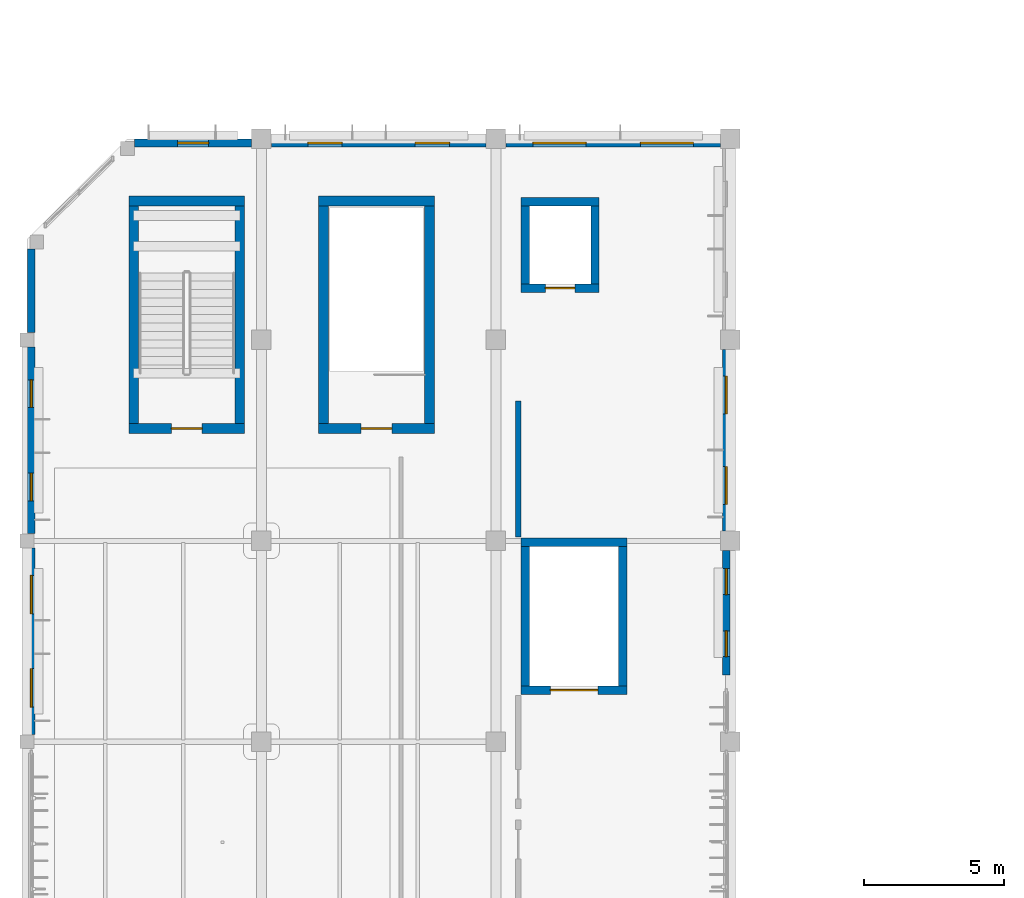
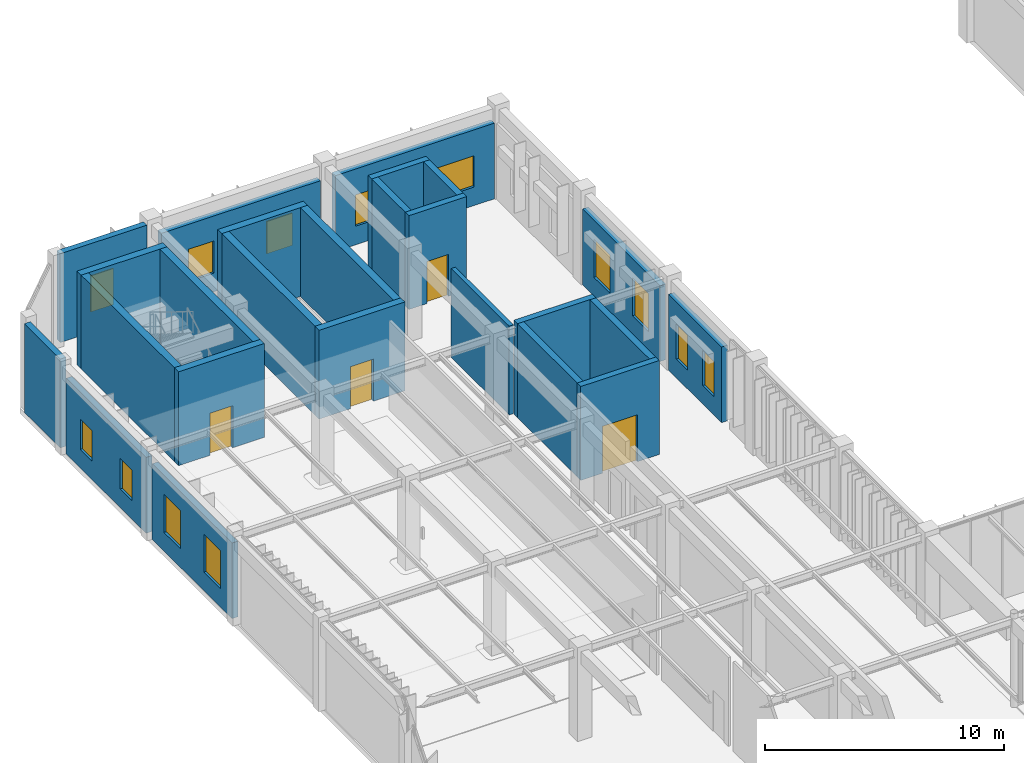
# One storey, part 36 of 122: 25 walls, 13 windows, 4 doors, 17 openings.
"""IFC4 building model written with IfcOpenShell, lengths in metres."""

from ifc_helpers import new_model, si_unit, direction, frame, frame_2d, origin, place, context, subcontext, project, spatial, rectangle, extrude, material, layer, layer_set, type_object, element, fill, save


model = new_model("IFC4")

# Units and contexts
model_context = context("Model", 3, precision=1e-05, world=origin(), true_north=direction((0.0, 1.0)))
body_context = subcontext(model_context, "Body", "Model", "MODEL_VIEW")
ifc_project = project(units=[si_unit("LENGTHUNIT", "METRE"), si_unit("AREAUNIT", "SQUARE_METRE"), si_unit("VOLUMEUNIT", "CUBIC_METRE"), si_unit("PLANEANGLEUNIT", "RADIAN"), si_unit("MASSUNIT", "GRAM", prefix="KILO")], contexts=[model_context])

# Site, building, storey
site_placement = place(None, origin())
site = spatial("IfcSite", under=ifc_project, at=site_placement, CompositionType="ELEMENT")
building_placement = place(site_placement, origin())
building = spatial("IfcBuilding", under=site, at=building_placement, Name="Tazoul Stagehouse", CompositionType="ELEMENT")
storey_placement = place(building_placement, origin())
storey = spatial("IfcBuildingStorey", under=building, at=storey_placement, Name="L00", CompositionType="ELEMENT", Elevation=0.0)

# Wall, opening, door
ifc_material_1 = material(Name="Concrete C40/50", Category="concrete")
ifc_layer_1 = layer(ifc_material_1, 0.35009765625, Name="Concrete C40/50")
ifc_layer_set_1 = layer_set([ifc_layer_1], Name="Concrete C40/50")
wall_type_1 = type_object("IfcWallType", Name="Core Shear Wall 350", PredefinedType="SOLIDWALL", material=ifc_layer_set_1)
wall_1_placement = place(storey_placement, frame((10.199951171875, 77.425048828125, 0.0), z_axis=(0.0, 0.0, 1.0), x_axis=(-1.0, 0.0, 0.0)))
wall_1 = element("IfcWall", 1, at=wall_1_placement, inside=storey, type_object=wall_type_1, Name="L00 Core Wall CW-350 (SHF-ST-06-south)", PredefinedType="SOLIDWALL", context=body_context, shape_type="SweptSolid", body=[
    extrude(rectangle(XDim=4.14990234375, YDim=0.35009765625, at=frame_2d((2.074951171875, 0.0))), origin(), (0.0, 0.0, 1.0), 4.800048828125),
])
opening_1_placement = place(wall_1_placement, frame((1.52490234375, 0.0, 0.0)))
opening_1 = element("IfcOpeningElement", 2, at=opening_1_placement, cuts=wall_1, Name="Opening FD-01", PredefinedType="OPENING", context=body_context, shape_type="SweptSolid", body=[
    extrude(rectangle(XDim=1.10009765625, YDim=2.14990234375, at=frame_2d((0.550048828125, 1.074951171875))), frame((0.0, 0.195068359375, 0.0), z_axis=(0.0, -1.0, 0.0), x_axis=(1.0, 0.0, 0.0)), (0.0, 0.0, 1.0), 0.39013671875),
])
ifc_material_2 = material(Name="Powder-Coated Galvanised Acoustic Steel", Category="steel")
door_type_1 = type_object("IfcDoorType", Name="Core Escape Stair Fire Door 1100x2150", OperationType="NOTDEFINED", PredefinedType="DOOR", material=ifc_material_2)
door_1_placement = place(opening_1_placement, origin())
door_1 = element("IfcDoor", 3, at=door_1_placement, inside=storey, type_object=door_type_1, Name="L00 Escape Stair Fire Door FD-01 (ST-06)", OperationType="SINGLE_SWING_RIGHT", OverallHeight=2.14990234375, OverallWidth=1.10009765625, PredefinedType="DOOR", context=body_context, shape_type="SweptSolid", body=[
    extrude(rectangle(XDim=1.10009765625, YDim=2.14990234375, at=frame_2d((0.550048828125, 1.074951171875))), frame((0.0, 0.02490234375, 0.0), z_axis=(0.0, -1.0, 0.0), x_axis=(1.0, 0.0, 0.0)), (0.0, 0.0, 1.0), 0.050048828125),
])
fill(opening_1, door_1)

# Walls
wall_2_placement = place(storey_placement, frame((6.22509765625, 77.60009765625, 0.0), z_axis=(0.0, 0.0, 1.0), x_axis=(0.0, 1.0, 0.0)))
element("IfcWall", 4, at=wall_2_placement, inside=storey, type_object=wall_type_1, Name="L00 Core Wall CW-350 (SHF-ST-06-west)", PredefinedType="SOLIDWALL", context=body_context, shape_type="SweptSolid", body=[
    extrude(rectangle(XDim=7.7998046875, YDim=0.35009765625, at=frame_2d((3.89990234375, 0.0))), origin(), (0.0, 0.0, 1.0), 4.800048828125),
])
wall_3_placement = place(storey_placement, frame((6.050048828125, 85.574951171875, 0.0), z_axis=(0.0, 0.0, 1.0), x_axis=(1.0, 0.0, 0.0)))
element("IfcWall", 5, at=wall_3_placement, inside=storey, type_object=wall_type_1, Name="L00 Core Wall CW-350 (SHF-ST-06-north)", PredefinedType="SOLIDWALL", context=body_context, shape_type="SweptSolid", body=[
    extrude(rectangle(XDim=4.14990234375, YDim=0.35009765625, at=frame_2d((2.074951171875, 0.0))), origin(), (0.0, 0.0, 1.0), 4.800048828125),
])
wall_4_placement = place(storey_placement, frame((10.02490234375, 85.39990234375, 0.0), z_axis=(0.0, 0.0, 1.0), x_axis=(0.0, -1.0, 0.0)))
element("IfcWall", 6, at=wall_4_placement, inside=storey, type_object=wall_type_1, Name="L00 Core Wall CW-350 (SHF-ST-06-east)", PredefinedType="SOLIDWALL", context=body_context, shape_type="SweptSolid", body=[
    extrude(rectangle(XDim=7.7998046875, YDim=0.35009765625, at=frame_2d((3.89990234375, 0.0))), origin(), (0.0, 0.0, 1.0), 4.800048828125),
])

# Wall, opening, door
wall_5_placement = place(storey_placement, frame((17.0, 77.425048828125, 0.0), z_axis=(0.0, 0.0, 1.0), x_axis=(-1.0, 0.0, 0.0)))
wall_5 = element("IfcWall", 7, at=wall_5_placement, inside=storey, type_object=wall_type_1, Name="L00 Core Wall CW-350 (SHF-ST-B6-south)", PredefinedType="SOLIDWALL", context=body_context, shape_type="SweptSolid", body=[
    extrude(rectangle(XDim=4.14990234375, YDim=0.35009765625, at=frame_2d((2.074951171875, 0.0))), origin(), (0.0, 0.0, 1.0), 4.5400390625),
])
opening_2_placement = place(wall_5_placement, frame((1.52490234375, 0.0, 0.0)))
opening_2 = element("IfcOpeningElement", 8, at=opening_2_placement, cuts=wall_5, Name="Opening FD-01", PredefinedType="OPENING", context=body_context, shape_type="SweptSolid", body=[
    extrude(rectangle(XDim=1.10009765625, YDim=2.14990234375, at=frame_2d((0.550048828125, 1.074951171875))), frame((0.0, 0.195068359375, 0.0), z_axis=(0.0, -1.0, 0.0), x_axis=(1.0, 0.0, 0.0)), (0.0, 0.0, 1.0), 0.39013671875),
])
door_2_placement = place(opening_2_placement, origin())
door_2 = element("IfcDoor", 9, at=door_2_placement, inside=storey, type_object=door_type_1, Name="L00 Basement Stair Fire Door FD-01 (ST-B6)", OperationType="SINGLE_SWING_LEFT", OverallHeight=2.14990234375, OverallWidth=1.10009765625, PredefinedType="DOOR", context=body_context, shape_type="SweptSolid", body=[
    extrude(rectangle(XDim=1.10009765625, YDim=2.14990234375, at=frame_2d((0.550048828125, 1.074951171875))), frame((0.0, 0.02490234375, 0.0), z_axis=(0.0, -1.0, 0.0), x_axis=(1.0, 0.0, 0.0)), (0.0, 0.0, 1.0), 0.050048828125),
])
fill(opening_2, door_2)

# Walls
wall_6_placement = place(storey_placement, frame((13.02490234375, 77.60009765625, 0.0), z_axis=(0.0, 0.0, 1.0), x_axis=(0.0, 1.0, 0.0)))
element("IfcWall", 10, at=wall_6_placement, inside=storey, type_object=wall_type_1, Name="L00 Core Wall CW-350 (SHF-ST-B6-west)", PredefinedType="SOLIDWALL", context=body_context, shape_type="SweptSolid", body=[
    extrude(rectangle(XDim=7.7998046875, YDim=0.35009765625, at=frame_2d((3.89990234375, 0.0))), origin(), (0.0, 0.0, 1.0), 4.5400390625),
])
wall_7_placement = place(storey_placement, frame((12.85009765625, 85.574951171875, 0.0), z_axis=(0.0, 0.0, 1.0), x_axis=(1.0, 0.0, 0.0)))
element("IfcWall", 11, at=wall_7_placement, inside=storey, type_object=wall_type_1, Name="L00 Core Wall CW-350 (SHF-ST-B6-north)", PredefinedType="SOLIDWALL", context=body_context, shape_type="SweptSolid", body=[
    extrude(rectangle(XDim=4.14990234375, YDim=0.35009765625, at=frame_2d((2.074951171875, 0.0))), origin(), (0.0, 0.0, 1.0), 4.5400390625),
])
wall_8_placement = place(storey_placement, frame((16.824951171875, 85.39990234375, 0.0), z_axis=(0.0, 0.0, 1.0), x_axis=(0.0, -1.0, 0.0)))
element("IfcWall", 12, at=wall_8_placement, inside=storey, type_object=wall_type_1, Name="L00 Core Wall CW-350 (SHF-ST-B6-east)", PredefinedType="SOLIDWALL", context=body_context, shape_type="SweptSolid", body=[
    extrude(rectangle(XDim=7.7998046875, YDim=0.35009765625, at=frame_2d((3.89990234375, 0.0))), origin(), (0.0, 0.0, 1.0), 4.5400390625),
])

# Wall, openings, windows
ifc_material_3 = material(Name="Precast concrete C40/50", Category="concrete")
ifc_layer_2 = layer(ifc_material_3, 0.280029296875, Name="Precast concrete C40/50")
ifc_layer_set_2 = layer_set([ifc_layer_2], Name="Precast concrete C40/50")
wall_type_2 = type_object("IfcWallType", Name="Insulated Precast Acoustic Cladding Wall 280", PredefinedType="SOLIDWALL", material=ifc_layer_set_2)
wall_9_placement = place(storey_placement, frame((2.550048828125, 66.455078125, 0.0), z_axis=(0.0, 0.0, 1.0), x_axis=(0.0, 1.0, 0.0)))
wall_9 = element("IfcWall", 13, at=wall_9_placement, inside=storey, type_object=wall_type_2, Name="L00 Wall EW-280 (WALL-V6-W2-L00-S1)", PredefinedType="SOLIDWALL", context=body_context, shape_type="SweptSolid", body=[
    extrude(rectangle(XDim=6.68994140625, YDim=0.280029296875, at=frame_2d((3.344970703125, 0.0))), origin(), (0.0, 0.0, 1.0), 3.873046875),
])
opening_3_placement = place(wall_9_placement, frame((0.982421875, 0.0, 0.949951171875)))
opening_3 = element("IfcOpeningElement", 14, at=opening_3_placement, cuts=wall_9, Name="Opening WN-74", PredefinedType="OPENING", context=body_context, shape_type="SweptSolid", body=[
    extrude(rectangle(XDim=1.3798828125, YDim=1.949951171875, at=frame_2d((0.68994140625, 0.97509765625))), frame((0.0, 0.159912109375, 0.0), z_axis=(0.0, -1.0, 0.0), x_axis=(1.0, 0.0, 0.0)), (0.0, 0.0, 1.0), 0.320068359375),
])
opening_4_placement = place(wall_9_placement, frame((4.327392578125, 0.0, 0.949951171875)))
opening_4 = element("IfcOpeningElement", 15, at=opening_4_placement, cuts=wall_9, Name="Opening WN-74", PredefinedType="OPENING", context=body_context, shape_type="SweptSolid", body=[
    extrude(rectangle(XDim=1.3798828125, YDim=1.949951171875, at=frame_2d((0.68994140625, 0.97509765625))), frame((0.0, 0.159912109375, 0.0), z_axis=(0.0, -1.0, 0.0), x_axis=(1.0, 0.0, 0.0)), (0.0, 0.0, 1.0), 0.320068359375),
])
ifc_material_4 = material(Name="Double Low-E Acoustic Laminated Glass", Category="glass")
window_type_1 = type_object("IfcWindowType", Name="Architectural Acoustic Facade Window 1380x1950", PartitioningType="SINGLE_PANEL", PredefinedType="WINDOW", material=ifc_material_4)
window_1_placement = place(opening_3_placement, origin())
window_1 = element("IfcWindow", 16, at=window_1_placement, inside=storey, type_object=window_type_1, Name="L00 Window WN-74 (WALL-V6-W2-L00-S1-W1)", OverallHeight=1.949951171875, OverallWidth=1.3798828125, PartitioningType="SINGLE_PANEL", PredefinedType="WINDOW", context=body_context, shape_type="SweptSolid", body=[
    extrude(rectangle(XDim=1.3798828125, YDim=1.949951171875, at=frame_2d((0.68994140625, 0.97509765625))), frame((0.0, 0.030029296875, 0.0), z_axis=(0.0, -1.0, 0.0), x_axis=(1.0, 0.0, 0.0)), (0.0, 0.0, 1.0), 0.06005859375),
])
fill(opening_3, window_1)
window_2_placement = place(opening_4_placement, origin())
window_2 = element("IfcWindow", 17, at=window_2_placement, inside=storey, type_object=window_type_1, Name="L00 Window WN-74 (WALL-V6-W2-L00-S1-W2)", OverallHeight=1.949951171875, OverallWidth=1.3798828125, PartitioningType="SINGLE_PANEL", PredefinedType="WINDOW", context=body_context, shape_type="SweptSolid", body=[
    extrude(rectangle(XDim=1.3798828125, YDim=1.949951171875, at=frame_2d((0.68994140625, 0.97509765625))), frame((0.0, 0.030029296875, 0.0), z_axis=(0.0, -1.0, 0.0), x_axis=(1.0, 0.0, 0.0)), (0.0, 0.0, 1.0), 0.06005859375),
])
fill(opening_4, window_2)

wall_10_placement = place(storey_placement, frame((2.550048828125, 73.655029296875, 0.0), z_axis=(0.0, 0.0, 1.0), x_axis=(0.0, 1.0, 0.0)))
wall_10 = element("IfcWall", 18, at=wall_10_placement, inside=storey, type_object=wall_type_2, Name="L00 Wall EW-280 (WALL-V6-W2-L00-S2)", PredefinedType="SOLIDWALL", context=body_context, shape_type="SweptSolid", body=[
    extrude(rectangle(XDim=6.68994140625, YDim=0.280029296875, at=frame_2d((3.344970703125, 0.0))), origin(), (0.0, 0.0, 1.0), 3.873046875),
])
opening_5_placement = place(wall_10_placement, frame((1.177490234375, 0.0, 0.949951171875)))
opening_5 = element("IfcOpeningElement", 19, at=opening_5_placement, cuts=wall_10, Name="Opening WN-36", PredefinedType="OPENING", context=body_context, shape_type="SweptSolid", body=[
    extrude(rectangle(XDim=0.989990234375, YDim=1.550048828125, at=frame_2d((0.4951171875, 0.77490234375))), frame((0.0, 0.159912109375, 0.0), z_axis=(0.0, -1.0, 0.0), x_axis=(1.0, 0.0, 0.0)), (0.0, 0.0, 1.0), 0.320068359375),
])
opening_6_placement = place(wall_10_placement, frame((4.5224609375, 0.0, 0.949951171875)))
opening_6 = element("IfcOpeningElement", 20, at=opening_6_placement, cuts=wall_10, Name="Opening WN-36", PredefinedType="OPENING", context=body_context, shape_type="SweptSolid", body=[
    extrude(rectangle(XDim=0.989990234375, YDim=1.550048828125, at=frame_2d((0.4951171875, 0.77490234375))), frame((0.0, 0.159912109375, 0.0), z_axis=(0.0, -1.0, 0.0), x_axis=(1.0, 0.0, 0.0)), (0.0, 0.0, 1.0), 0.320068359375),
])
window_type_2 = type_object("IfcWindowType", Name="Architectural Acoustic Facade Window 990x1550", PartitioningType="SINGLE_PANEL", PredefinedType="WINDOW", material=ifc_material_4)
window_3_placement = place(opening_5_placement, origin())
window_3 = element("IfcWindow", 21, at=window_3_placement, inside=storey, type_object=window_type_2, Name="L00 Window WN-36 (WALL-V6-W2-L00-S2-W1)", OverallHeight=1.550048828125, OverallWidth=0.989990234375, PartitioningType="SINGLE_PANEL", PredefinedType="WINDOW", context=body_context, shape_type="SweptSolid", body=[
    extrude(rectangle(XDim=0.989990234375, YDim=1.550048828125, at=frame_2d((0.4951171875, 0.77490234375))), frame((0.0, 0.030029296875, 0.0), z_axis=(0.0, -1.0, 0.0), x_axis=(1.0, 0.0, 0.0)), (0.0, 0.0, 1.0), 0.06005859375),
])
fill(opening_5, window_3)
window_4_placement = place(opening_6_placement, origin())
window_4 = element("IfcWindow", 22, at=window_4_placement, inside=storey, type_object=window_type_2, Name="L00 Window WN-36 (WALL-V6-W2-L00-S2-W2)", OverallHeight=1.550048828125, OverallWidth=0.989990234375, PartitioningType="SINGLE_PANEL", PredefinedType="WINDOW", context=body_context, shape_type="SweptSolid", body=[
    extrude(rectangle(XDim=0.989990234375, YDim=1.550048828125, at=frame_2d((0.4951171875, 0.77490234375))), frame((0.0, 0.030029296875, 0.0), z_axis=(0.0, -1.0, 0.0), x_axis=(1.0, 0.0, 0.0)), (0.0, 0.0, 1.0), 0.06005859375),
])
fill(opening_6, window_4)

# Wall
wall_11_placement = place(storey_placement, frame((2.550048828125, 80.85498046875, 0.0), z_axis=(0.0, 0.0, 1.0), x_axis=(0.0, 1.0, 0.0)))
element("IfcWall", 23, at=wall_11_placement, inside=storey, type_object=wall_type_2, Name="L00 Wall EW-280 (WALL-V6-W2-L00-S3)", PredefinedType="SOLIDWALL", context=body_context, shape_type="SweptSolid", body=[
    extrude(rectangle(XDim=2.989990234375, YDim=0.280029296875, at=frame_2d((1.4951171875, 0.0))), origin(), (0.0, 0.0, 1.0), 4.5400390625),
])

# Wall, opening, window
wall_12_placement = place(storey_placement, frame((6.2548828125, 87.64990234375, 0.0), z_axis=(0.0, 0.0, 1.0), x_axis=(1.0, 0.0, 0.0)))
wall_12 = element("IfcWall", 24, at=wall_12_placement, inside=storey, type_object=wall_type_2, Name="L00 Wall EW-280 (WALL-V6-N-L00-S1)", PredefinedType="SOLIDWALL", context=body_context, shape_type="SweptSolid", body=[
    extrude(rectangle(XDim=4.190185546875, YDim=0.280029296875, at=frame_2d((2.09521484375, 0.0))), origin(), (0.0, 0.0, 1.0), 4.5400390625),
])
opening_7_placement = place(wall_12_placement, frame((1.5400390625, 0.0, 0.949951171875)))
opening_7 = element("IfcOpeningElement", 25, at=opening_7_placement, cuts=wall_12, Name="Opening WN-65", PredefinedType="OPENING", context=body_context, shape_type="SweptSolid", body=[
    extrude(rectangle(XDim=1.110107421875, YDim=1.85009765625, at=frame_2d((0.55517578125, 0.925048828125))), frame((0.0, 0.159912109375, 0.0), z_axis=(0.0, -1.0, 0.0), x_axis=(1.0, 0.0, 0.0)), (0.0, 0.0, 1.0), 0.320068359375),
])
window_type_3 = type_object("IfcWindowType", Name="Architectural Acoustic Facade Window 1110x1850", PartitioningType="SINGLE_PANEL", PredefinedType="WINDOW", material=ifc_material_4)
window_5_placement = place(opening_7_placement, origin())
window_5 = element("IfcWindow", 26, at=window_5_placement, inside=storey, type_object=window_type_3, Name="L00 Window WN-65 (WALL-V6-N-L00-S1-W1)", OverallHeight=1.85009765625, OverallWidth=1.110107421875, PartitioningType="SINGLE_PANEL", PredefinedType="WINDOW", context=body_context, shape_type="SweptSolid", body=[
    extrude(rectangle(XDim=1.110107421875, YDim=1.85009765625, at=frame_2d((0.55517578125, 0.925048828125))), frame((0.0, 0.030029296875, 0.0), z_axis=(0.0, -1.0, 0.0), x_axis=(1.0, 0.0, 0.0)), (0.0, 0.0, 1.0), 0.06005859375),
])
fill(opening_7, window_5)

# Wall, openings, windows
wall_13_placement = place(storey_placement, frame((11.155029296875, 87.64990234375, 0.0), z_axis=(0.0, 0.0, 1.0), x_axis=(1.0, 0.0, 0.0)))
wall_13 = element("IfcWall", 27, at=wall_13_placement, inside=storey, type_object=wall_type_2, Name="L00 Wall EW-280 (WALL-V6-N-L00-S2)", PredefinedType="SOLIDWALL", context=body_context, shape_type="SweptSolid", body=[
    extrude(rectangle(XDim=7.68994140625, YDim=0.280029296875, at=frame_2d((3.844970703125, 0.0))), origin(), (0.0, 0.0, 1.0), 3.873046875),
])
opening_8_placement = place(wall_13_placement, frame((1.3076171875, 0.0, 0.949951171875)))
opening_8 = element("IfcOpeningElement", 28, at=opening_8_placement, cuts=wall_13, Name="Opening WN-44", PredefinedType="OPENING", context=body_context, shape_type="SweptSolid", body=[
    extrude(rectangle(XDim=1.22998046875, YDim=1.64990234375, at=frame_2d((0.614990234375, 0.824951171875))), frame((0.0, 0.159912109375, 0.0), z_axis=(0.0, -1.0, 0.0), x_axis=(1.0, 0.0, 0.0)), (0.0, 0.0, 1.0), 0.320068359375),
])
opening_9_placement = place(wall_13_placement, frame((5.152587890625, 0.0, 0.949951171875)))
opening_9 = element("IfcOpeningElement", 29, at=opening_9_placement, cuts=wall_13, Name="Opening WN-44", PredefinedType="OPENING", context=body_context, shape_type="SweptSolid", body=[
    extrude(rectangle(XDim=1.22998046875, YDim=1.64990234375, at=frame_2d((0.614990234375, 0.824951171875))), frame((0.0, 0.159912109375, 0.0), z_axis=(0.0, -1.0, 0.0), x_axis=(1.0, 0.0, 0.0)), (0.0, 0.0, 1.0), 0.320068359375),
])
window_type_4 = type_object("IfcWindowType", Name="Architectural Acoustic Facade Window 1230x1650", PartitioningType="SINGLE_PANEL", PredefinedType="WINDOW", material=ifc_material_4)
window_6_placement = place(opening_8_placement, origin())
window_6 = element("IfcWindow", 30, at=window_6_placement, inside=storey, type_object=window_type_4, Name="L00 Window WN-44 (WALL-V6-N-L00-S2-W1)", OverallHeight=1.64990234375, OverallWidth=1.22998046875, PartitioningType="SINGLE_PANEL", PredefinedType="WINDOW", context=body_context, shape_type="SweptSolid", body=[
    extrude(rectangle(XDim=1.22998046875, YDim=1.64990234375, at=frame_2d((0.614990234375, 0.824951171875))), frame((0.0, 0.030029296875, 0.0), z_axis=(0.0, -1.0, 0.0), x_axis=(1.0, 0.0, 0.0)), (0.0, 0.0, 1.0), 0.06005859375),
])
fill(opening_8, window_6)
window_7_placement = place(opening_9_placement, origin())
window_7 = element("IfcWindow", 31, at=window_7_placement, inside=storey, type_object=window_type_4, Name="L00 Window WN-44 (WALL-V6-N-L00-S2-W2)", OverallHeight=1.64990234375, OverallWidth=1.22998046875, PartitioningType="SINGLE_PANEL", PredefinedType="WINDOW", context=body_context, shape_type="SweptSolid", body=[
    extrude(rectangle(XDim=1.22998046875, YDim=1.64990234375, at=frame_2d((0.614990234375, 0.824951171875))), frame((0.0, 0.030029296875, 0.0), z_axis=(0.0, -1.0, 0.0), x_axis=(1.0, 0.0, 0.0)), (0.0, 0.0, 1.0), 0.06005859375),
])
fill(opening_9, window_7)

wall_14_placement = place(storey_placement, frame((19.554931640625, 87.64990234375, 0.0), z_axis=(0.0, 0.0, 1.0), x_axis=(1.0, 0.0, 0.0)))
wall_14 = element("IfcWall", 32, at=wall_14_placement, inside=storey, type_object=wall_type_2, Name="L00 Wall EW-280 (WALL-V6-N-L00-S3)", PredefinedType="SOLIDWALL", context=body_context, shape_type="SweptSolid", body=[
    extrude(rectangle(XDim=7.690185546875, YDim=0.280029296875, at=frame_2d((3.84521484375, 0.0))), origin(), (0.0, 0.0, 1.0), 3.873046875),
])
opening_10_placement = place(wall_14_placement, frame((0.972412109375, 0.0, 0.949951171875)))
opening_10 = element("IfcOpeningElement", 33, at=opening_10_placement, cuts=wall_14, Name="Opening WN-27", PredefinedType="OPENING", context=body_context, shape_type="SweptSolid", body=[
    extrude(rectangle(XDim=1.89990234375, YDim=1.60009765625, at=frame_2d((0.949951171875, 0.800048828125))), frame((0.0, 0.159912109375, 0.0), z_axis=(0.0, -1.0, 0.0), x_axis=(1.0, 0.0, 0.0)), (0.0, 0.0, 1.0), 0.320068359375),
])
opening_11_placement = place(wall_14_placement, frame((4.8173828125, 0.0, 0.949951171875)))
opening_11 = element("IfcOpeningElement", 34, at=opening_11_placement, cuts=wall_14, Name="Opening WN-27", PredefinedType="OPENING", context=body_context, shape_type="SweptSolid", body=[
    extrude(rectangle(XDim=1.89990234375, YDim=1.60009765625, at=frame_2d((0.949951171875, 0.800048828125))), frame((0.0, 0.159912109375, 0.0), z_axis=(0.0, -1.0, 0.0), x_axis=(1.0, 0.0, 0.0)), (0.0, 0.0, 1.0), 0.320068359375),
])
window_type_5 = type_object("IfcWindowType", Name="Rehearsal Daylight Window 1900x1600", PartitioningType="SINGLE_PANEL", PredefinedType="WINDOW", material=ifc_material_4)
window_8_placement = place(opening_10_placement, origin())
window_8 = element("IfcWindow", 35, at=window_8_placement, inside=storey, type_object=window_type_5, Name="L00 Window WN-27 (WALL-V6-N-L00-S3-W1)", OverallHeight=1.60009765625, OverallWidth=1.89990234375, PartitioningType="SINGLE_PANEL", PredefinedType="WINDOW", context=body_context, shape_type="SweptSolid", body=[
    extrude(rectangle(XDim=1.89990234375, YDim=1.60009765625, at=frame_2d((0.949951171875, 0.800048828125))), frame((0.0, 0.030029296875, 0.0), z_axis=(0.0, -1.0, 0.0), x_axis=(1.0, 0.0, 0.0)), (0.0, 0.0, 1.0), 0.06005859375),
])
fill(opening_10, window_8)
window_9_placement = place(opening_11_placement, origin())
window_9 = element("IfcWindow", 36, at=window_9_placement, inside=storey, type_object=window_type_5, Name="L00 Window WN-27 (WALL-V6-N-L00-S3-W2)", OverallHeight=1.60009765625, OverallWidth=1.89990234375, PartitioningType="SINGLE_PANEL", PredefinedType="WINDOW", context=body_context, shape_type="SweptSolid", body=[
    extrude(rectangle(XDim=1.89990234375, YDim=1.60009765625, at=frame_2d((0.949951171875, 0.800048828125))), frame((0.0, 0.030029296875, 0.0), z_axis=(0.0, -1.0, 0.0), x_axis=(1.0, 0.0, 0.0)), (0.0, 0.0, 1.0), 0.06005859375),
])
fill(opening_11, window_9)

wall_15_placement = place(storey_placement, frame((27.449951171875, 68.60009765625, 0.0), z_axis=(0.0, 0.0, 1.0), x_axis=(0.0, 1.0, 0.0)))
wall_15 = element("IfcWall", 37, at=wall_15_placement, inside=storey, type_object=wall_type_2, Name="L00 Wall EW-280 (WALL-V6-E2-L00-S1)", PredefinedType="SOLIDWALL", context=body_context, shape_type="SweptSolid", body=[
    extrude(rectangle(XDim=4.44482421875, YDim=0.280029296875, at=frame_2d((2.222412109375, 0.0))), origin(), (0.0, 0.0, 1.0), 3.873046875),
])
opening_12_placement = place(wall_15_placement, frame((0.646240234375, 0.0, 0.949951171875)))
opening_12 = element("IfcOpeningElement", 38, at=opening_12_placement, cuts=wall_15, Name="Opening WN-59", PredefinedType="OPENING", context=body_context, shape_type="SweptSolid", body=[
    extrude(rectangle(XDim=0.929931640625, YDim=1.800048828125, at=frame_2d((0.46484375, 0.89990234375))), frame((0.0, 0.159912109375, 0.0), z_axis=(0.0, -1.0, 0.0), x_axis=(1.0, 0.0, 0.0)), (0.0, 0.0, 1.0), 0.320068359375),
])
opening_13_placement = place(wall_15_placement, frame((2.868896484375, 0.0, 0.949951171875)))
opening_13 = element("IfcOpeningElement", 39, at=opening_13_placement, cuts=wall_15, Name="Opening WN-59", PredefinedType="OPENING", context=body_context, shape_type="SweptSolid", body=[
    extrude(rectangle(XDim=0.929931640625, YDim=1.800048828125, at=frame_2d((0.46484375, 0.89990234375))), frame((0.0, 0.159912109375, 0.0), z_axis=(0.0, -1.0, 0.0), x_axis=(1.0, 0.0, 0.0)), (0.0, 0.0, 1.0), 0.320068359375),
])
window_type_6 = type_object("IfcWindowType", Name="Architectural Acoustic Facade Window 930x1800", PartitioningType="SINGLE_PANEL", PredefinedType="WINDOW", material=ifc_material_4)
window_10_placement = place(opening_12_placement, origin())
window_10 = element("IfcWindow", 40, at=window_10_placement, inside=storey, type_object=window_type_6, Name="L00 Window WN-59 (WALL-V6-E2-L00-S1-W1)", OverallHeight=1.800048828125, OverallWidth=0.929931640625, PartitioningType="SINGLE_PANEL", PredefinedType="WINDOW", context=body_context, shape_type="SweptSolid", body=[
    extrude(rectangle(XDim=0.929931640625, YDim=1.800048828125, at=frame_2d((0.46484375, 0.89990234375))), frame((0.0, 0.030029296875, 0.0), z_axis=(0.0, -1.0, 0.0), x_axis=(1.0, 0.0, 0.0)), (0.0, 0.0, 1.0), 0.06005859375),
])
fill(opening_12, window_10)
window_11_placement = place(opening_13_placement, origin())
window_11 = element("IfcWindow", 41, at=window_11_placement, inside=storey, type_object=window_type_6, Name="L00 Window WN-59 (WALL-V6-E2-L00-S1-W2)", OverallHeight=1.800048828125, OverallWidth=0.929931640625, PartitioningType="SINGLE_PANEL", PredefinedType="WINDOW", context=body_context, shape_type="SweptSolid", body=[
    extrude(rectangle(XDim=0.929931640625, YDim=1.800048828125, at=frame_2d((0.46484375, 0.89990234375))), frame((0.0, 0.030029296875, 0.0), z_axis=(0.0, -1.0, 0.0), x_axis=(1.0, 0.0, 0.0)), (0.0, 0.0, 1.0), 0.06005859375),
])
fill(opening_13, window_11)

wall_16_placement = place(storey_placement, frame((27.449951171875, 73.7548828125, 0.0), z_axis=(0.0, 0.0, 1.0), x_axis=(0.0, 1.0, 0.0)))
wall_16 = element("IfcWall", 42, at=wall_16_placement, inside=storey, type_object=wall_type_2, Name="L00 Wall EW-280 (WALL-V6-E2-L00-S2)", PredefinedType="SOLIDWALL", context=body_context, shape_type="SweptSolid", body=[
    extrude(rectangle(XDim=6.490234375, YDim=0.280029296875, at=frame_2d((3.2451171875, 0.0))), origin(), (0.0, 0.0, 1.0), 3.873046875),
])
opening_14_placement = place(wall_16_placement, frame((0.947509765625, 0.0, 0.949951171875)))
opening_14 = element("IfcOpeningElement", 43, at=opening_14_placement, cuts=wall_16, Name="Opening WN-73", PredefinedType="OPENING", context=body_context, shape_type="SweptSolid", body=[
    extrude(rectangle(XDim=1.35009765625, YDim=1.949951171875, at=frame_2d((0.675048828125, 0.97509765625))), frame((0.0, 0.159912109375, 0.0), z_axis=(0.0, -1.0, 0.0), x_axis=(1.0, 0.0, 0.0)), (0.0, 0.0, 1.0), 0.320068359375),
])
opening_15_placement = place(wall_16_placement, frame((4.1923828125, 0.0, 0.949951171875)))
opening_15 = element("IfcOpeningElement", 44, at=opening_15_placement, cuts=wall_16, Name="Opening WN-73", PredefinedType="OPENING", context=body_context, shape_type="SweptSolid", body=[
    extrude(rectangle(XDim=1.35009765625, YDim=1.949951171875, at=frame_2d((0.675048828125, 0.97509765625))), frame((0.0, 0.159912109375, 0.0), z_axis=(0.0, -1.0, 0.0), x_axis=(1.0, 0.0, 0.0)), (0.0, 0.0, 1.0), 0.320068359375),
])
window_type_7 = type_object("IfcWindowType", Name="Architectural Acoustic Facade Window 1350x1950", PartitioningType="SINGLE_PANEL", PredefinedType="WINDOW", material=ifc_material_4)
window_12_placement = place(opening_14_placement, origin())
window_12 = element("IfcWindow", 45, at=window_12_placement, inside=storey, type_object=window_type_7, Name="L00 Window WN-73 (WALL-V6-E2-L00-S2-W1)", OverallHeight=1.949951171875, OverallWidth=1.35009765625, PartitioningType="SINGLE_PANEL", PredefinedType="WINDOW", context=body_context, shape_type="SweptSolid", body=[
    extrude(rectangle(XDim=1.35009765625, YDim=1.949951171875, at=frame_2d((0.675048828125, 0.97509765625))), frame((0.0, 0.030029296875, 0.0), z_axis=(0.0, -1.0, 0.0), x_axis=(1.0, 0.0, 0.0)), (0.0, 0.0, 1.0), 0.06005859375),
])
fill(opening_14, window_12)
window_13_placement = place(opening_15_placement, origin())
window_13 = element("IfcWindow", 46, at=window_13_placement, inside=storey, type_object=window_type_7, Name="L00 Window WN-73 (WALL-V6-E2-L00-S2-W2)", OverallHeight=1.949951171875, OverallWidth=1.35009765625, PartitioningType="SINGLE_PANEL", PredefinedType="WINDOW", context=body_context, shape_type="SweptSolid", body=[
    extrude(rectangle(XDim=1.35009765625, YDim=1.949951171875, at=frame_2d((0.675048828125, 0.97509765625))), frame((0.0, 0.030029296875, 0.0), z_axis=(0.0, -1.0, 0.0), x_axis=(1.0, 0.0, 0.0)), (0.0, 0.0, 1.0), 0.06005859375),
])
fill(opening_15, window_13)

# Wall, opening, door
ifc_layer_3 = layer(ifc_material_1, 0.300048828125, Name="Concrete C40/50")
ifc_layer_set_3 = layer_set([ifc_layer_3], Name="Concrete C40/50")
wall_type_3 = type_object("IfcWallType", Name="Lift Shaft Wall 300", PredefinedType="SOLIDWALL", material=ifc_layer_set_3)
wall_17_placement = place(storey_placement, frame((22.89990234375, 82.449951171875, 0.0), z_axis=(0.0, 0.0, 1.0), x_axis=(-1.0, 0.0, 0.0)))
wall_17 = element("IfcWall", 47, at=wall_17_placement, inside=storey, type_object=wall_type_3, Name="L00 Core Wall CW-300 (LSHF-PL-03-south)", PredefinedType="SOLIDWALL", context=body_context, shape_type="SweptSolid", body=[
    extrude(rectangle(XDim=2.7998046875, YDim=0.300048828125, at=frame_2d((1.39990234375, 0.0))), origin(), (0.0, 0.0, 1.0), 4.800048828125),
])
opening_16_placement = place(wall_17_placement, frame((0.875, 0.0, 0.0)))
opening_16 = element("IfcOpeningElement", 48, at=opening_16_placement, cuts=wall_17, Name="Opening LD-05", PredefinedType="OPENING", context=body_context, shape_type="SweptSolid", body=[
    extrude(rectangle(XDim=1.050048828125, YDim=2.14990234375, at=frame_2d((0.52490234375, 1.074951171875))), frame((0.0, 0.169921875, 0.0), z_axis=(0.0, -1.0, 0.0), x_axis=(1.0, 0.0, 0.0)), (0.0, 0.0, 1.0), 0.340087890625),
])
door_type_2 = type_object("IfcDoorType", Name="West Lift Sliding Landing Door 1050x2150", OperationType="DOUBLE_DOOR_SLIDING", PredefinedType="DOOR", material=ifc_material_2)
door_3_placement = place(opening_16_placement, origin())
door_3 = element("IfcDoor", 49, at=door_3_placement, inside=storey, type_object=door_type_2, Name="L00 Lift Landing Sliding Door LD-05 (PL-03)", OperationType="DOUBLE_DOOR_SLIDING", OverallHeight=2.14990234375, OverallWidth=1.050048828125, PredefinedType="DOOR", context=body_context, shape_type="SweptSolid", body=[
    extrude(rectangle(XDim=1.050048828125, YDim=2.14990234375, at=frame_2d((0.52490234375, 1.074951171875))), frame((0.0, 0.02490234375, 0.0), z_axis=(0.0, -1.0, 0.0), x_axis=(1.0, 0.0, 0.0)), (0.0, 0.0, 1.0), 0.050048828125),
])
fill(opening_16, door_3)

# Walls
for number, where, z_axis, x_axis, name in (
    (50, (20.25, 82.60009765625, 0.0), (0.0, 0.0, 1.0), (0.0, 1.0, 0.0), "L00 Core Wall CW-300 (LSHF-PL-03-west)"),
    (51, (20.10009765625, 85.550048828125, 0.0), (0.0, 0.0, 1.0), (1.0, 0.0, 0.0), "L00 Core Wall CW-300 (LSHF-PL-03-north)"),
    (52, (22.75, 85.39990234375, 0.0), (0.0, 0.0, 1.0), (0.0, -1.0, 0.0), "L00 Core Wall CW-300 (LSHF-PL-03-east)"),
):
    element("IfcWall", number, at=place(storey_placement, frame(where, z_axis=z_axis, x_axis=x_axis)), inside=storey, type_object=wall_type_3, Name=name, PredefinedType="SOLIDWALL", context=body_context, shape_type="SweptSolid", body=[
        extrude(rectangle(XDim=2.7998046875, YDim=0.300048828125, at=frame_2d((1.39990234375, 0.0))), origin(), (0.0, 0.0, 1.0), 4.800048828125),
    ])

# Wall, opening, door
wall_18_placement = place(storey_placement, frame((23.89990234375, 68.050048828125, 0.0), z_axis=(0.0, 0.0, 1.0), x_axis=(-1.0, 0.0, 0.0)))
wall_18 = element("IfcWall", 53, at=wall_18_placement, inside=storey, type_object=wall_type_3, Name="L00 Core Wall CW-300 (LSHF-GL-02-south)", PredefinedType="SOLIDWALL", context=body_context, shape_type="SweptSolid", body=[
    extrude(rectangle(XDim=3.7998046875, YDim=0.300048828125, at=frame_2d((1.89990234375, 0.0))), origin(), (0.0, 0.0, 1.0), 4.800048828125),
])
opening_17_placement = place(wall_18_placement, frame((1.050048828125, 0.0, 0.0)))
opening_17 = element("IfcOpeningElement", 54, at=opening_17_placement, cuts=wall_18, Name="Opening LD-08", PredefinedType="OPENING", context=body_context, shape_type="SweptSolid", body=[
    extrude(rectangle(XDim=1.699951171875, YDim=2.39990234375, at=frame_2d((0.85009765625, 1.199951171875))), frame((0.0, 0.169921875, 0.0), z_axis=(0.0, -1.0, 0.0), x_axis=(1.0, 0.0, 0.0)), (0.0, 0.0, 1.0), 0.340087890625),
])
door_type_3 = type_object("IfcDoorType", Name="Black-Box Goods Lift Sliding Door 1700x2400", OperationType="DOUBLE_DOOR_SLIDING", PredefinedType="DOOR", material=ifc_material_2)
door_4_placement = place(opening_17_placement, origin())
door_4 = element("IfcDoor", 55, at=door_4_placement, inside=storey, type_object=door_type_3, Name="L00 Lift Landing Sliding Door LD-08 (GL-02)", OperationType="DOUBLE_DOOR_SLIDING", OverallHeight=2.39990234375, OverallWidth=1.699951171875, PredefinedType="DOOR", context=body_context, shape_type="SweptSolid", body=[
    extrude(rectangle(XDim=1.699951171875, YDim=2.39990234375, at=frame_2d((0.85009765625, 1.199951171875))), frame((0.0, 0.02490234375, 0.0), z_axis=(0.0, -1.0, 0.0), x_axis=(1.0, 0.0, 0.0)), (0.0, 0.0, 1.0), 0.050048828125),
])
fill(opening_17, door_4)

# Walls
wall_19_placement = place(storey_placement, frame((20.25, 68.199951171875, 0.0), z_axis=(0.0, 0.0, 1.0), x_axis=(0.0, 1.0, 0.0)))
element("IfcWall", 56, at=wall_19_placement, inside=storey, type_object=wall_type_3, Name="L00 Core Wall CW-300 (LSHF-GL-02-west)", PredefinedType="SOLIDWALL", context=body_context, shape_type="SweptSolid", body=[
    extrude(rectangle(XDim=5.0, YDim=0.300048828125, at=frame_2d((2.5, 0.0))), origin(), (0.0, 0.0, 1.0), 4.800048828125),
])
wall_20_placement = place(storey_placement, frame((20.10009765625, 73.35009765625, 0.0), z_axis=(0.0, 0.0, 1.0), x_axis=(1.0, 0.0, 0.0)))
element("IfcWall", 57, at=wall_20_placement, inside=storey, type_object=wall_type_3, Name="L00 Core Wall CW-300 (LSHF-GL-02-north)", PredefinedType="SOLIDWALL", context=body_context, shape_type="SweptSolid", body=[
    extrude(rectangle(XDim=3.7998046875, YDim=0.300048828125, at=frame_2d((1.89990234375, 0.0))), origin(), (0.0, 0.0, 1.0), 4.800048828125),
])
wall_21_placement = place(storey_placement, frame((23.75, 73.199951171875, 0.0), z_axis=(0.0, 0.0, 1.0), x_axis=(0.0, -1.0, 0.0)))
element("IfcWall", 58, at=wall_21_placement, inside=storey, type_object=wall_type_3, Name="L00 Core Wall CW-300 (LSHF-GL-02-east)", PredefinedType="SOLIDWALL", context=body_context, shape_type="SweptSolid", body=[
    extrude(rectangle(XDim=5.0, YDim=0.300048828125, at=frame_2d((2.5, 0.0))), origin(), (0.0, 0.0, 1.0), 4.800048828125),
])
ifc_material_5 = material(Name="Gypsum Acoustic Partition", Category="gypsum")
ifc_layer_4 = layer(ifc_material_5, 0.2099609375, Name="Gypsum Acoustic Partition")
ifc_layer_set_4 = layer_set([ifc_layer_4], Name="Gypsum Acoustic Partition")
wall_type_4 = type_object("IfcWallType", Name="Rehearsal Room Acoustic Partition 210", PredefinedType="PARTITIONING", material=ifc_layer_set_4)
wall_22_placement = place(storey_placement, frame((20.0, 73.5400390625, 0.0), z_axis=(0.0, 0.0, 1.0), x_axis=(0.0, 1.0, 0.0)))
element("IfcWall", 59, at=wall_22_placement, inside=storey, type_object=wall_type_4, Name="L00 Partition PW-210 (PW-RM-L00-109-W-S2)", PredefinedType="PARTITIONING", context=body_context, shape_type="SweptSolid", body=[
    extrude(rectangle(XDim=4.85986328125, YDim=0.2099609375, at=frame_2d((2.429931640625, 0.0))), origin(), (0.0, 0.0, 1.0), 4.5400390625),
])

save(model, "model.ifc")
